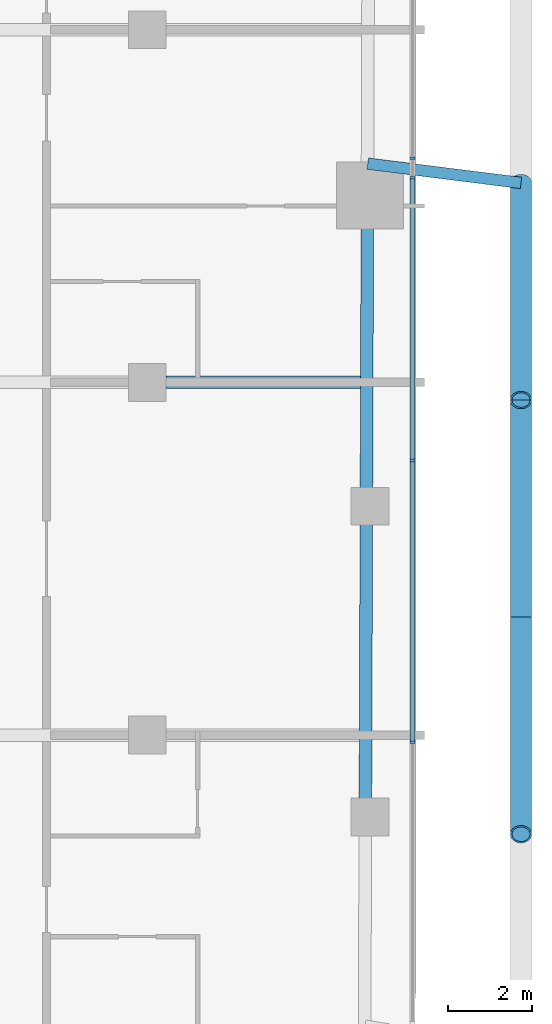
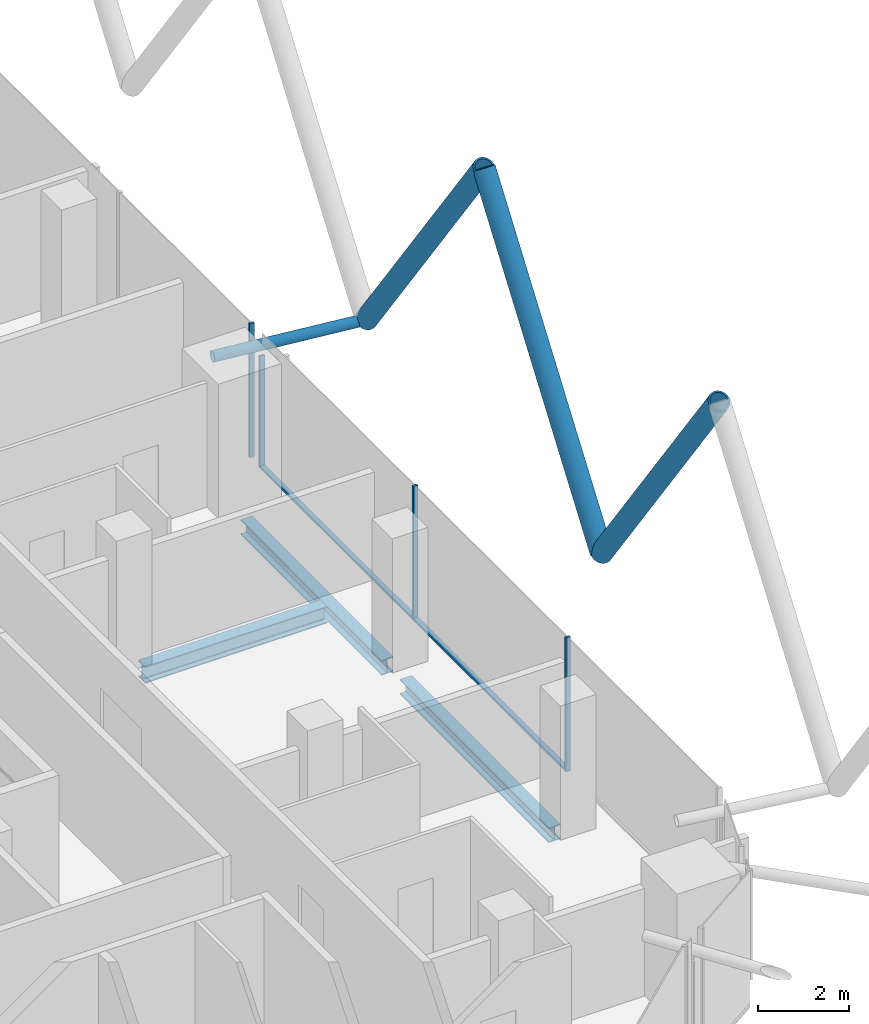
# One storey, part 8 of 36: 10 members, 3 beams, 3 elements without a shape of their own.
"""IFC4 building model written with IfcOpenShell, lengths in metres."""

import ifcopenshell
import ifcopenshell.guid

model = None  # the IFC model being written
_history = None  # IfcOwnerHistory: only IFC2X3 demands one
_inside = {}  # id of a spatial element -> (the spatial element, [elements in it])
_under = {}  # id of a project, library or spatial element -> (it, [spatial elements below it])
_declared = {}  # id of a project -> (the project, [libraries it declares])
_typed = {}  # id of a type object -> (the type object, [elements of that type])
_made_of = {}  # id of a material, layer set ... -> (it, [elements and type objects made of it])


def new_model(schema):
    """Start an empty IFC model of exactly this schema.

    Asked for "IFC4X3", IfcOpenShell would pick the latest addendum, in which some entities
    have other attributes; the version numbers below select the first issue.
    IFC2X3 requires an IfcOwnerHistory on every rooted entity: one is made here for all.
    """
    global model, _history
    if schema == "IFC4X3":
        model = ifcopenshell.file(schema_version=(4, 3, 0, 0))
    else:
        model = ifcopenshell.file(schema=schema)
    _inside.clear()
    _under.clear()
    _declared.clear()
    _typed.clear()
    _made_of.clear()
    _history = None
    if model.schema == "IFC2X3":
        org = make("IfcOrganization", Name="unknown")
        user = make(
            "IfcPersonAndOrganization",
            ThePerson=make("IfcPerson", FamilyName="unknown"),
            TheOrganization=org,
        )
        app = make(
            "IfcApplication",
            ApplicationDeveloper=org,
            Version="unknown",
            ApplicationFullName="unknown",
            ApplicationIdentifier="unknown",
        )
        _history = make(
            "IfcOwnerHistory",
            OwningUser=user,
            OwningApplication=app,
            ChangeAction="ADDED",
            CreationDate=0,
        )
    return model


def make(cls, **values):
    """One entity of the class cls with the attributes given. An attribute that is None is left unset."""
    return model.create_entity(
        cls, **{name: value for name, value in values.items() if value is not None}
    )


def rooted(cls, **values):
    """An entity with a GlobalId (a new one), such as an element, a storey or a relation."""
    return make(cls, GlobalId=ifcopenshell.guid.new(), OwnerHistory=_history, **values)


def si_unit(unit_type, name, prefix=None):
    """IfcSIUnit, for example si_unit("LENGTHUNIT", "METRE", prefix="MILLI")."""
    return make("IfcSIUnit", UnitType=unit_type, Prefix=prefix, Name=name)


def assignment(units):
    """IfcUnitAssignment: the units of a project."""
    return None if units is None else make("IfcUnitAssignment", Units=units)


def point(xyz):
    """IfcCartesianPoint."""
    return None if xyz is None else make("IfcCartesianPoint", Coordinates=xyz)


def direction(xyz):
    """IfcDirection."""
    return None if xyz is None else make("IfcDirection", DirectionRatios=xyz)


def frame(location, z_axis=None, x_axis=None):
    """IfcAxis2Placement3D, a coordinate frame: its origin and axes. An axis left out is left unset."""
    return make(
        "IfcAxis2Placement3D",
        Location=point(location),
        Axis=direction(z_axis),
        RefDirection=direction(x_axis),
    )


def frame_2d(location, x_axis=None):
    """IfcAxis2Placement2D, a coordinate frame in the plane: its origin and x axis."""
    return make(
        "IfcAxis2Placement2D", Location=point(location), RefDirection=direction(x_axis)
    )


def origin():
    """The frame at (0, 0, 0) with its axes left unset."""
    return frame((0.0, 0.0, 0.0))


def origin_2d():
    """The frame at (0, 0) in the plane with its x axis left unset."""
    return frame_2d((0.0, 0.0))


def place(relative_to, where):
    """IfcLocalPlacement: puts the frame where relative to a parent placement (None: the world)."""
    return make(
        "IfcLocalPlacement", PlacementRelTo=relative_to, RelativePlacement=where
    )


def context(
    kind, dimensions, precision=None, world=None, true_north=None, identifier=None
):
    """IfcGeometricRepresentationContext, for example the 3D "Model" context."""
    return make(
        "IfcGeometricRepresentationContext",
        ContextIdentifier=identifier,
        ContextType=kind,
        CoordinateSpaceDimension=dimensions,
        Precision=precision,
        WorldCoordinateSystem=world,
        TrueNorth=true_north,
    )


def subcontext(parent, identifier, kind, view, scale=None):
    """IfcGeometricRepresentationSubContext, for example "Body" below "Model"."""
    return make(
        "IfcGeometricRepresentationSubContext",
        ContextIdentifier=identifier,
        ContextType=kind,
        ParentContext=parent,
        TargetScale=scale,
        TargetView=view,
    )


def project(units=None, contexts=None):
    """IfcProject with its units and contexts."""
    return rooted(
        "IfcProject",
        Name="project",
        RepresentationContexts=contexts,
        UnitsInContext=assignment(units),
    )


def spatial(cls, under=None, at=None, **own):
    """A site, building, storey or space (cls), placed at a placement, below another one or the project."""
    s = rooted(cls, ObjectPlacement=at, **own)
    if under is not None:
        _under.setdefault(under.id(), (under, []))[1].append(s)
    return s


def profile(cls, at=None, kind="AREA", **sizes):
    """A parametric profile (cls). Its sizes go by their IFC names, for example OverallWidth=200.0."""
    return make(cls, ProfileType=kind, Position=at, **sizes)


def rectangle(**sizes):
    """IfcRectangleProfileDef."""
    return profile("IfcRectangleProfileDef", **sizes)


def hollow_circle(**sizes):
    """IfcCircleHollowProfileDef."""
    return profile("IfcCircleHollowProfileDef", **sizes)


def i_section(**sizes):
    """IfcIShapeProfileDef."""
    return profile("IfcIShapeProfileDef", **sizes)


def extrude(swept, where, along, depth):
    """IfcExtrudedAreaSolid: the profile swept, set in the frame where, extruded along a direction by depth."""
    return make(
        "IfcExtrudedAreaSolid",
        SweptArea=swept,
        Position=where,
        ExtrudedDirection=direction(along),
        Depth=depth,
    )


def shape(context_of_items, identifier, shape_type, items):
    """IfcShapeRepresentation: the items that make up one representation, for example the "Body"."""
    return make(
        "IfcShapeRepresentation",
        ContextOfItems=context_of_items,
        RepresentationIdentifier=identifier,
        RepresentationType=shape_type,
        Items=items,
    )


def material(Name=None, Category=None):
    """IfcMaterial."""
    return make("IfcMaterial", Name=Name, Category=Category)


def layer(
    of_material, thickness, ventilated=None, Name=None, Category=None, Priority=None
):
    """IfcMaterialLayer: one layer of a wall or slab, of a material (None: an air gap)."""
    return make(
        "IfcMaterialLayer",
        Material=of_material,
        LayerThickness=thickness,
        IsVentilated=ventilated,
        Name=Name,
        Category=Category,
        Priority=Priority,
    )


def layer_set(layers, Name=None):
    """IfcMaterialLayerSet."""
    return make("IfcMaterialLayerSet", MaterialLayers=layers, LayerSetName=Name)


def material_profile(
    of_material, cross_section, Name=None, Category=None, Priority=None
):
    """IfcMaterialProfile: a cross section and its material."""
    return make(
        "IfcMaterialProfile",
        Name=Name,
        Material=of_material,
        Profile=cross_section,
        Priority=Priority,
        Category=Category,
    )


def profile_set(profiles, Name=None, composite=None):
    """IfcMaterialProfileSet."""
    return make(
        "IfcMaterialProfileSet",
        Name=Name,
        MaterialProfiles=profiles,
        CompositeProfile=composite,
    )


def made_of(thing, what):
    """Note that an element or type object is made of a material, layer set ...; save() writes the relation."""
    if what is not None:
        _made_of.setdefault(what.id(), (what, []))[1].append(thing)
    return thing


def type_object(cls, material=None, **own):
    """A type object (cls), such as IfcWallType, which elements share."""
    return made_of(rooted(cls, **own), material)


def element(
    cls,
    number,
    at=None,
    inside=None,
    cuts=None,
    type_object=None,
    material=None,
    context=None,
    identifier="Body",
    shape_type=None,
    held_by="IfcProductDefinitionShape",
    body=None,
    shapes=None,
    **own,
):
    """One element of the class cls, such as IfcWall. Its Tag is "e" and its number.

    at: its placement. inside: the storey or other place that contains it. cuts: it is an
    opening in that element (IfcRelVoidsElement). A single representation is given by context,
    identifier, shape_type and body (its items); several are given by shapes. held_by: the class
    of the entity that holds the representations. save() writes the other relations.
    """
    e = rooted(cls, Tag="e%d" % number, ObjectPlacement=at, **own)
    if body is not None:
        shapes = [shape(context, identifier, shape_type, body)]
    if shapes is not None:
        e.Representation = make(held_by, Representations=shapes)
    if inside is not None:
        _inside.setdefault(inside.id(), (inside, []))[1].append(e)
    if cuts is not None:
        rooted(
            "IfcRelVoidsElement", RelatingBuildingElement=cuts, RelatedOpeningElement=e
        )
    if type_object is not None:
        _typed.setdefault(type_object.id(), (type_object, []))[1].append(e)
    return made_of(e, material)


def aggregate(whole, parts):
    """IfcRelAggregates: a whole, such as a stair, and the parts it consists of."""
    return rooted("IfcRelAggregates", RelatingObject=whole, RelatedObjects=parts)


def save(model, path):
    """Write the relations noted so far, then the file.

    IfcRelAggregates (storeys below a building ...), IfcRelContainedInSpatialStructure (elements
    in a storey), IfcRelDefinesByType, IfcRelAssociatesMaterial and IfcRelDeclares: one each for
    every whole, place, type object, material and project.
    """
    for whole, parts in _under.values():
        aggregate(whole, parts)
    for where, things in _inside.values():
        rooted(
            "IfcRelContainedInSpatialStructure",
            RelatedElements=things,
            RelatingStructure=where,
        )
    for kind, things in _typed.values():
        rooted("IfcRelDefinesByType", RelatedObjects=things, RelatingType=kind)
    for what, things in _made_of.values():
        rooted("IfcRelAssociatesMaterial", RelatedObjects=things, RelatingMaterial=what)
    for by, libraries in _declared.values():
        rooted("IfcRelDeclares", RelatingContext=by, RelatedDefinitions=libraries)
    model.write(path)


model = new_model("IFC4")

# Units and contexts
model_context = context("Model", 3, precision=1e-05, world=origin(), true_north=direction((0.0, 1.0)))
body_context = subcontext(model_context, "Body", "Model", "MODEL_VIEW")
ifc_project = project(units=[si_unit("LENGTHUNIT", "METRE"), si_unit("AREAUNIT", "SQUARE_METRE"), si_unit("VOLUMEUNIT", "CUBIC_METRE"), si_unit("PLANEANGLEUNIT", "RADIAN"), si_unit("MASSUNIT", "GRAM", prefix="KILO")], contexts=[model_context])

# Site, building, storey
site_placement = place(None, origin())
site = spatial("IfcSite", under=ifc_project, at=site_placement, CompositionType="ELEMENT")
building_placement = place(site_placement, origin())
building = spatial("IfcBuilding", under=site, at=building_placement, Name="Marenta Gate Hotel Tower", CompositionType="ELEMENT")
storey_placement = place(building_placement, frame((0.0, 0.0, 158.89990234375)))
storey = spatial("IfcBuildingStorey", under=building, at=storey_placement, Name="L37", CompositionType="ELEMENT", Elevation=158.89990234375)

# Members
ifc_material_1 = material(Name="Steel S355J2W", Category="steel")
ifc_material_profile_1 = material_profile(ifc_material_1, hollow_circle(Radius=0.25390625, WallThickness=0.0400390625, at=origin_2d()), Name="CHS 508x40")
ifc_profile_set_1 = profile_set([ifc_material_profile_1], Name="Steel S355J2W")
member_type_1 = type_object("IfcMemberType", Name="Diagrid diagonal Z2 CHS 508x40", PredefinedType="BRACE", material=ifc_profile_set_1)
member_1_placement = place(storey_placement, frame((29.89990234375, 4.75, 3.14013671875), z_axis=(0.0, -0.583279014058, 0.812271870595), x_axis=(1.0, 0.0, 0.0)))
element("IfcMember", 1, at=member_1_placement, inside=storey, type_object=member_type_1, Name="L37-DG-6", PredefinedType="BRACE", context=body_context, shape_type="SweptSolid", body=[
    extrude(hollow_circle(Radius=0.25390625, WallThickness=0.0400390625, at=origin_2d()), origin(), (0.0, 0.0, 1.0), 8.864013671875),
])
for number, where, z_axis, x_axis, name in (
    (2, (29.89990234375, -5.590087890625, 3.14013671875), (0.0, 0.583260841117, 0.812284919975), (-1.0, 0.0, 0.0), "L37-DG-7"),
    (3, (29.89990234375, -5.590087890625, 3.14013671875), (0.0, -0.583260841117, 0.812284919975), (1.0, 0.0, 0.0), "L37-DG-8"),
):
    element("IfcMember", number, at=place(storey_placement, frame(where, z_axis=z_axis, x_axis=x_axis)), inside=storey, type_object=member_type_1, Name=name, PredefinedType="BRACE", context=body_context, shape_type="SweptSolid", body=[
        extrude(hollow_circle(Radius=0.25390625, WallThickness=0.0400390625, at=origin_2d()), origin(), (0.0, 0.0, 1.0), 8.86376953125),
    ])

# Beams
ifc_material_2 = material(Name="Steel S355", Category="steel")
ifc_material_profile_2 = material_profile(ifc_material_2, i_section(OverallWidth=0.300048828125, OverallDepth=0.39990234375, WebThickness=0.013427734375, FlangeThickness=0.02392578125, FilletRadius=0.027099609375, at=origin_2d()), Name="HEB 400")
ifc_profile_set_2 = profile_set([ifc_material_profile_2], Name="Steel S355")
beam_type_1 = type_object("IfcBeamType", Name="Edge beam HEB 400", PredefinedType="SPANDREL", material=ifc_profile_set_2)
beam_1_placement = place(storey_placement, frame((26.2392578125, 3.68994140625, -0.4599609375), z_axis=(-0.003330441525, -0.999994454064, 0.0), x_axis=(0.999994454064, -0.003330441525, 0.0)))
element("IfcBeam", 4, at=beam_1_placement, inside=storey, type_object=beam_type_1, Name="L37-EB-25", PredefinedType="SPANDREL", context=body_context, shape_type="SweptSolid", body=[
    extrude(i_section(OverallWidth=0.300048828125, OverallDepth=0.39990234375, WebThickness=0.013427734375, FlangeThickness=0.02392578125, FilletRadius=0.027099609375, at=origin_2d()), origin(), (0.0, 0.0, 1.0), 6.23095703125),
])
beam_2_placement = place(storey_placement, frame((26.2158203125, -3.36083984375, -0.4599609375), z_axis=(-0.00333875569, -0.99999442634, 0.0), x_axis=(0.99999442634, -0.00333875569, 0.0)))
element("IfcBeam", 5, at=beam_2_placement, inside=storey, type_object=beam_type_1, Name="L37-EB-26", PredefinedType="SPANDREL", context=body_context, shape_type="SweptSolid", body=[
    extrude(i_section(OverallWidth=0.300048828125, OverallDepth=0.39990234375, WebThickness=0.013427734375, FlangeThickness=0.02392578125, FilletRadius=0.027099609375, at=origin_2d()), origin(), (0.0, 0.0, 1.0), 6.5810546875),
])

# Member
ifc_material_3 = material(Name="Steel S355J2W", Category="steel")
ifc_material_profile_3 = material_profile(ifc_material_3, hollow_circle(Radius=0.136474609375, WallThickness=0.012451171875, at=origin_2d()), Name="CHS 273x12.5")
ifc_profile_set_3 = profile_set([ifc_material_profile_3], Name="Steel S355J2W")
member_type_2 = type_object("IfcMemberType", Name="Floor tie CHS 273x12.5", PredefinedType="STRUT", material=ifc_profile_set_3)
member_2_placement = place(storey_placement, frame((29.89990234375, 4.75, 3.14013671875), z_axis=(-0.992172319979, 0.12487628865, 0.0), x_axis=(-0.12487628865, -0.992172319979, 0.0)))
element("IfcMember", 6, at=member_2_placement, inside=storey, type_object=member_type_2, Name="L37-DR-9", PredefinedType="STRUT", context=body_context, shape_type="SweptSolid", body=[
    extrude(hollow_circle(Radius=0.136474609375, WallThickness=0.012451171875, at=origin_2d()), origin(), (0.0, 0.0, 1.0), 3.677490234375),
])

# Beam
ifc_material_4 = material(Name="Steel S355", Category="steel")
ifc_material_profile_4 = material_profile(ifc_material_4, i_section(OverallWidth=0.300048828125, OverallDepth=0.449951171875, WebThickness=0.013916015625, FlangeThickness=0.02587890625, FilletRadius=0.027099609375, at=origin_2d()), Name="HEB 450")
ifc_profile_set_4 = profile_set([ifc_material_profile_4], Name="Steel S355")
beam_type_2 = type_object("IfcBeamType", Name="Girder HEB 450", PredefinedType="BEAM", material=ifc_profile_set_4)
beam_3_placement = place(storey_placement, frame((21.449951171875, 0.0, -0.48486328125), z_axis=(1.0, 0.0, 0.0), x_axis=(0.0, 1.0, 0.0)))
element("IfcBeam", 7, at=beam_3_placement, inside=storey, type_object=beam_type_2, Name="L37-GD-19", PredefinedType="BEAM", context=body_context, shape_type="SweptSolid", body=[
    extrude(i_section(OverallWidth=0.300048828125, OverallDepth=0.449951171875, WebThickness=0.013916015625, FlangeThickness=0.02587890625, FilletRadius=0.027099609375, at=origin_2d()), origin(), (0.0, 0.0, 1.0), 4.626953125),
])

# Curtain wall, members
ifc_material_5 = material(Name="Tinted insulated glass in bronze anodised frame", Category="glass")
ifc_layer = layer(ifc_material_5, 0.1201171875)
ifc_layer_set = layer_set([ifc_layer], Name="Tinted insulated glass in bronze anodised frame")
curtain_wall_type = type_object("IfcCurtainWallType", Name="Tower unitised curtain wall CW1", PredefinedType="NOTDEFINED", material=ifc_layer_set)
curtain_wall_1_placement = place(storey_placement, origin())
curtain_wall_1 = element("IfcCurtainWall", 8, at=curtain_wall_1_placement, inside=storey, type_object=curtain_wall_type, Name="CW1 run G33", PredefinedType="NOTDEFINED")
ifc_material_6 = material(Name="Bronze anodised aluminium", Category="aluminium")
ifc_material_profile_5 = material_profile(ifc_material_6, rectangle(XDim=0.1201171875, YDim=0.06005859375, at=origin_2d()), Name="Mullion CW1 60x120 bronze anodised aluminium")
ifc_profile_set_5 = profile_set([ifc_material_profile_5], Name="Bronze anodised aluminium")
member_type_3 = type_object("IfcMemberType", Name="Mullion CW1 60x120 bronze anodised aluminium", PredefinedType="MULLION", material=ifc_profile_set_5)
member_3_placement = place(storey_placement, frame((27.31396484375, -8.567626953125, 0.0), z_axis=(0.0, 0.0, 1.0), x_axis=(-1.0, 0.0, 0.0)))
member_3 = element("IfcMember", 9, at=member_3_placement, type_object=member_type_3, Name="CW1 mullion 2", PredefinedType="MULLION", context=body_context, shape_type="SweptSolid", body=[
    extrude(rectangle(XDim=0.1201171875, YDim=0.06005859375, at=origin_2d()), origin(), (0.0, 0.0, 1.0), 3.60009765625),
])
member_4_placement = place(storey_placement, frame((27.31396484375, -1.8603515625, 0.0), z_axis=(0.0, 0.0, 1.0), x_axis=(-1.0, 0.0, 0.0)))
member_4 = element("IfcMember", 10, at=member_4_placement, type_object=member_type_3, Name="CW1 mullion 3", PredefinedType="MULLION", context=body_context, shape_type="SweptSolid", body=[
    extrude(rectangle(XDim=0.1201171875, YDim=0.06005859375, at=origin_2d()), origin(), (0.0, 0.0, 1.0), 3.60009765625),
])

# Curtain wall, member
curtain_wall_2_placement = place(storey_placement, origin())
curtain_wall_2 = element("IfcCurtainWall", 11, at=curtain_wall_2_placement, inside=storey, type_object=curtain_wall_type, Name="CW1 run G34", PredefinedType="NOTDEFINED")
member_5_placement = place(storey_placement, frame((27.31396484375, 4.877197265625, 0.0), z_axis=(0.0, 0.0, 1.0), x_axis=(-1.0, 0.0, 0.0)))
member_5 = element("IfcMember", 12, at=member_5_placement, type_object=member_type_3, Name="CW1 mullion 1", PredefinedType="MULLION", context=body_context, shape_type="SweptSolid", body=[
    extrude(rectangle(XDim=0.1201171875, YDim=0.06005859375, at=origin_2d()), origin(), (0.0, 0.0, 1.0), 3.00048828125),
])
aggregate(curtain_wall_2, [member_5])

curtain_wall_3_placement = place(storey_placement, origin())
curtain_wall_3 = element("IfcCurtainWall", 13, at=curtain_wall_3_placement, inside=storey, type_object=curtain_wall_type, Name="CW1 run G35", PredefinedType="NOTDEFINED")
member_6_placement = place(storey_placement, frame((27.31396484375, 5.333740234375, 0.0), z_axis=(0.0, 0.0, 1.0), x_axis=(-1.0, 0.0, 0.0)))
member_6 = element("IfcMember", 14, at=member_6_placement, type_object=member_type_3, Name="CW1 mullion 1", PredefinedType="MULLION", context=body_context, shape_type="SweptSolid", body=[
    extrude(rectangle(XDim=0.1201171875, YDim=0.06005859375, at=origin_2d()), origin(), (0.0, 0.0, 1.0), 3.60009765625),
])
aggregate(curtain_wall_3, [member_6])

# Member
ifc_material_7 = material(Name="Bronze anodised aluminium", Category="aluminium")
ifc_material_profile_6 = material_profile(ifc_material_7, rectangle(XDim=0.1201171875, YDim=0.06005859375, at=origin_2d()), Name="Transom CW1 60x120 bronze anodised aluminium")
ifc_profile_set_6 = profile_set([ifc_material_profile_6], Name="Bronze anodised aluminium")
member_type_4 = type_object("IfcMemberType", Name="Transom CW1 60x120 bronze anodised aluminium", PredefinedType="USERDEFINED", material=ifc_profile_set_6)
member_7_placement = place(storey_placement, frame((27.31396484375, -8.53759765625, 0.030029296875), z_axis=(0.0, 1.0, 0.0), x_axis=(-1.0, 0.0, 0.0)))
member_7 = element("IfcMember", 15, at=member_7_placement, type_object=member_type_4, Name="CW1 transom 2.1", ObjectType="TRANSOM", PredefinedType="USERDEFINED", context=body_context, shape_type="SweptSolid", body=[
    extrude(rectangle(XDim=0.1201171875, YDim=0.06005859375, at=origin_2d()), origin(), (0.0, 0.0, 1.0), 6.6474609375),
])

member_8_placement = place(storey_placement, frame((27.31396484375, -1.830322265625, 0.030029296875), z_axis=(0.0, 1.0, 0.0), x_axis=(-1.0, 0.0, 0.0)))
member_8 = element("IfcMember", 16, at=member_8_placement, type_object=member_type_4, Name="CW1 transom 3.1", ObjectType="TRANSOM", PredefinedType="USERDEFINED", context=body_context, shape_type="SweptSolid", body=[
    extrude(rectangle(XDim=0.1201171875, YDim=0.06005859375, at=origin_2d()), origin(), (0.0, 0.0, 1.0), 6.677490234375),
])

aggregate(curtain_wall_1, [member_3, member_4, member_7, member_8])

save(model, "model.ifc")
